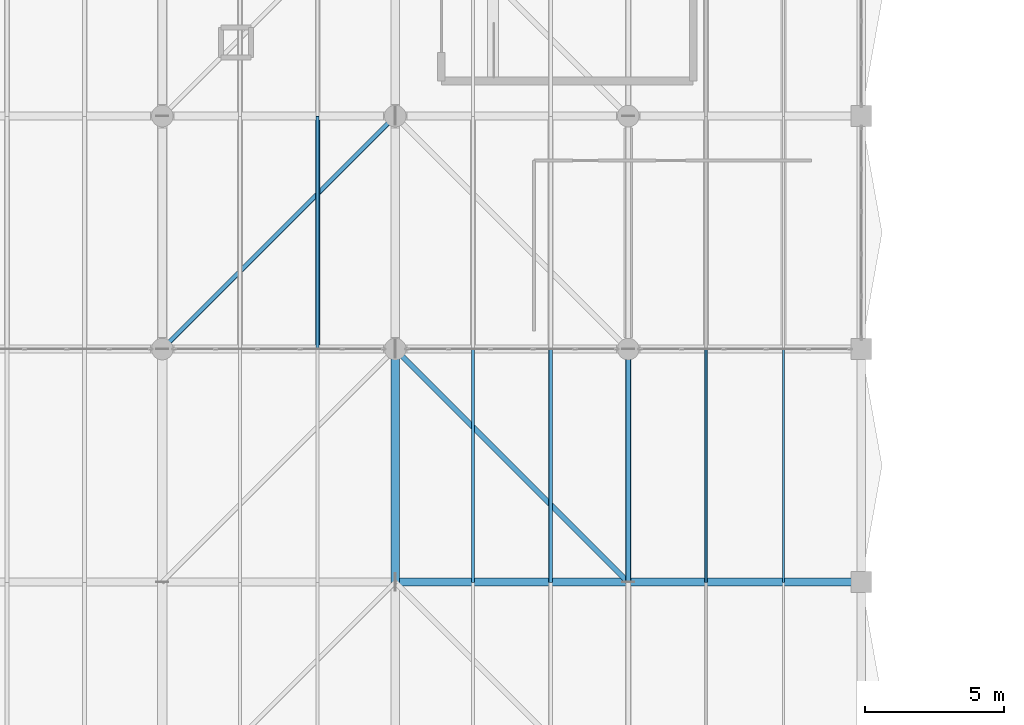
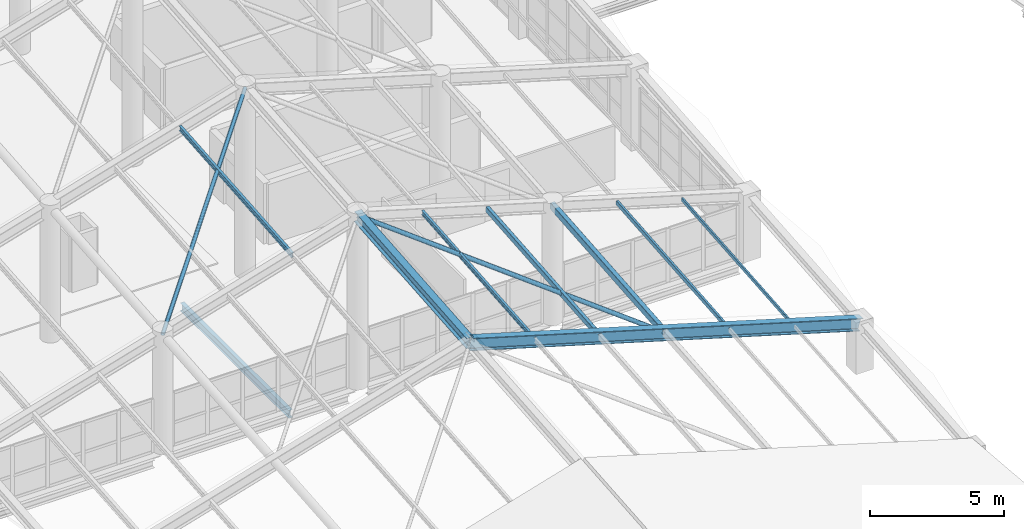
# One storey, part 28 of 95: 10 members, 1 beam.
"""IFC4 building model written with IfcOpenShell, lengths in metres."""

from ifc_helpers import new_model, si_unit, direction, frame, origin, origin_2d, place, context, subcontext, project, spatial, hollow_rectangle, hollow_circle, i_section, extrude, material, material_profile, profile_set, type_object, element, save


model = new_model("IFC4")

# Units and contexts
model_context = context("Model", 3, precision=1e-05, world=origin(), true_north=direction((0.0, 1.0)))
body_context = subcontext(model_context, "Body", "Model", "MODEL_VIEW")
ifc_project = project(units=[si_unit("LENGTHUNIT", "METRE"), si_unit("AREAUNIT", "SQUARE_METRE"), si_unit("VOLUMEUNIT", "CUBIC_METRE"), si_unit("PLANEANGLEUNIT", "RADIAN"), si_unit("MASSUNIT", "GRAM", prefix="KILO"), si_unit("THERMODYNAMICTEMPERATUREUNIT", "KELVIN"), si_unit("POWERUNIT", "WATT")], contexts=[model_context])

# Site, building, storey
site_placement = place(None, origin())
site = spatial("IfcSite", under=ifc_project, at=site_placement, CompositionType="ELEMENT")
building_placement = place(site_placement, origin())
building = spatial("IfcBuilding", under=site, at=building_placement, Name="Mavoryth Pier Ferry Terminal", CompositionType="ELEMENT")
storey_placement = place(building_placement, frame((0.0, 0.0, 9.60009765625)))
storey = spatial("IfcBuildingStorey", under=building, at=storey_placement, Name="L02", CompositionType="ELEMENT", Elevation=9.60009765625)

# Members
ifc_material = material(Name="Steel S355J2", Category="steel")
ifc_material_profile_1 = material_profile(ifc_material, hollow_circle(Radius=0.096923828125, WallThickness=0.010009765625, at=origin_2d()), Name="CHS 193.7x10.0", Category="steel")
ifc_profile_set_1 = profile_set([ifc_material_profile_1], Name="Steel S355J2 - CHS 193.7x10.0")
member_type_1 = type_object("IfcMemberType", Name="Brace-Plan-CHS194", PredefinedType="BRACE", material=ifc_profile_set_1)
member_1_placement = place(storey_placement, frame((25.199951171875, 64.0, 4.51318359375), z_axis=(-0.682878207153, 0.682878207153, 0.259527856674), x_axis=(-0.707106781187, -0.707106781187, 0.0)))
element("IfcMember", 1, at=member_1_placement, inside=storey, type_object=member_type_1, Name="Steel Member MB-L02-0114", PredefinedType="BRACE", context=body_context, shape_type="SweptSolid", body=[
    extrude(hollow_circle(Radius=0.096923828125, WallThickness=0.010009765625, at=origin_2d()), origin(), (0.0, 0.0, 1.0), 12.30078125),
])
ifc_material_profile_2 = material_profile(ifc_material, hollow_circle(Radius=0.084228515625, WallThickness=0.008056640625, at=origin_2d()), Name="CHS 168.3x8.0", Category="steel")
ifc_profile_set_2 = profile_set([ifc_material_profile_2], Name="Steel S355J2 - CHS 168.3x8.0")
member_type_2 = type_object("IfcMemberType", Name="Brace-Roof-CHS168", PredefinedType="BRACE", material=ifc_profile_set_2)
member_2_placement = place(storey_placement, frame((8.39990234375, 72.39990234375, 5.2275390625), z_axis=(0.682879543932, 0.682879543932, 0.259520821823), x_axis=(-0.707106781187, 0.707106781187, 0.0)))
element("IfcMember", 2, at=member_2_placement, inside=storey, type_object=member_type_2, Name="Steel Member MB-L02-0128", PredefinedType="BRACE", context=body_context, shape_type="SweptSolid", body=[
    extrude(hollow_circle(Radius=0.084228515625, WallThickness=0.008056640625, at=origin_2d()), origin(), (0.0, 0.0, 1.0), 12.301025390625),
])
ifc_material_profile_3 = material_profile(ifc_material, hollow_rectangle(XDim=0.199951171875, YDim=0.300048828125, WallThickness=0.012451171875, InnerFilletRadius=0.012451171875, OuterFilletRadius=0.02490234375, at=origin_2d()), Name="RHS 300x200x12.5", Category="steel")
ifc_profile_set_3 = profile_set([ifc_material_profile_3], Name="Steel S355J2 - RHS 300x200x12.5")
member_type_3 = type_object("IfcMemberType", Name="Chord-Edge-RHS300", PredefinedType="CHORD", material=ifc_profile_set_3)
member_3_placement = place(storey_placement, frame((25.199951171875, 64.0, 4.51318359375), z_axis=(0.0, 0.9964033157, 0.084737432475), x_axis=(-1.0, 0.0, 0.0)))
element("IfcMember", 3, at=member_3_placement, inside=storey, type_object=member_type_3, Name="Steel Member MB-L02-0104", PredefinedType="CHORD", context=body_context, shape_type="SweptSolid", body=[
    extrude(hollow_rectangle(XDim=0.199951171875, YDim=0.300048828125, WallThickness=0.012451171875, InnerFilletRadius=0.012451171875, OuterFilletRadius=0.02490234375, at=origin_2d()), origin(), (0.0, 0.0, 1.0), 8.43017578125),
])
ifc_material_profile_4 = material_profile(ifc_material, i_section(OverallWidth=0.300048828125, OverallDepth=0.489990234375, WebThickness=0.011962890625, FlangeThickness=0.02294921875, FilletRadius=0.027099609375, at=origin_2d()), Name="HEA 500", Category="steel")
ifc_profile_set_4 = profile_set([ifc_material_profile_4], Name="Steel S355J2 - HEA 500")
member_type_4 = type_object("IfcMemberType", Name="Chord-Ridge-HEA500", PredefinedType="CHORD", material=ifc_profile_set_4)
member_4_placement = place(storey_placement, frame((16.800048828125, 64.0, 6.9912109375), z_axis=(0.0, 0.9964033157, 0.084737432475), x_axis=(-1.0, 0.0, 0.0)))
element("IfcMember", 4, at=member_4_placement, inside=storey, type_object=member_type_4, Name="Steel Member MB-L02-0101", PredefinedType="CHORD", context=body_context, shape_type="SweptSolid", body=[
    extrude(i_section(OverallWidth=0.300048828125, OverallDepth=0.489990234375, WebThickness=0.011962890625, FlangeThickness=0.02294921875, FilletRadius=0.027099609375, at=origin_2d()), origin(), (0.0, 0.0, 1.0), 8.43017578125),
])

# Beam
ifc_material_profile_5 = material_profile(ifc_material, i_section(OverallWidth=0.169921875, OverallDepth=0.360107421875, WebThickness=0.008056640625, FlangeThickness=0.0126953125, FilletRadius=0.01806640625, at=origin_2d()), Name="IPE 360", Category="steel")
ifc_profile_set_5 = profile_set([ifc_material_profile_5], Name="Steel S355J2 - IPE 360")
beam_type = type_object("IfcBeamType", Name="Joist-Steel-IPE360", PredefinedType="JOIST", material=ifc_profile_set_5)
beam_placement = place(storey_placement, frame((14.0, 72.550048828125, -0.460205078125), z_axis=(0.0, 1.0, 0.0), x_axis=(-1.0, 0.0, 0.0)))
element("IfcBeam", 5, at=beam_placement, inside=storey, type_object=beam_type, Name="Beam B02-SJ02-0662", PredefinedType="JOIST", context=body_context, shape_type="SweptSolid", body=[
    extrude(i_section(OverallWidth=0.169921875, OverallDepth=0.360107421875, WebThickness=0.008056640625, FlangeThickness=0.0126953125, FilletRadius=0.01806640625, at=origin_2d()), origin(), (0.0, 0.0, 1.0), 8.099853515625),
])

# Members
ifc_material_profile_6 = material_profile(ifc_material, i_section(OverallWidth=0.10009765625, OverallDepth=0.199951171875, WebThickness=0.005615234375, FlangeThickness=0.008544921875, FilletRadius=0.011962890625, at=origin_2d()), Name="IPE 200", Category="steel")
ifc_profile_set_6 = profile_set([ifc_material_profile_6], Name="Steel S355J2 - IPE 200")
member_type_5 = type_object("IfcMemberType", Name="Purlin-Roof-IPE200", PredefinedType="PURLIN", material=ifc_profile_set_6)
member_5_placement = place(storey_placement, frame((19.60009765625, 64.0, 6.15869140625), z_axis=(0.0, 0.9964033157, 0.084737432475), x_axis=(-1.0, 0.0, 0.0)))
element("IfcMember", 6, at=member_5_placement, inside=storey, type_object=member_type_5, Name="Steel Member MB-L02-0109", PredefinedType="PURLIN", context=body_context, shape_type="SweptSolid", body=[
    extrude(i_section(OverallWidth=0.10009765625, OverallDepth=0.199951171875, WebThickness=0.005615234375, FlangeThickness=0.008544921875, FilletRadius=0.011962890625, at=origin_2d()), origin(), (0.0, 0.0, 1.0), 8.43017578125),
])
ifc_material_profile_7 = material_profile(ifc_material, i_section(OverallWidth=0.110107421875, OverallDepth=0.219970703125, WebThickness=0.005859375, FlangeThickness=0.00927734375, FilletRadius=0.011962890625, at=origin_2d()), Name="IPE 220", Category="steel")
ifc_profile_set_7 = profile_set([ifc_material_profile_7], Name="Steel S355J2 - IPE 220")
member_type_6 = type_object("IfcMemberType", Name="Purlin-Roof-IPE220", PredefinedType="PURLIN", material=ifc_profile_set_7)
member_6_placement = place(storey_placement, frame((14.0, 72.39990234375, 6.873046875), z_axis=(0.0, 0.996403523637, 0.084734987362), x_axis=(-1.0, 0.0, 0.0)))
element("IfcMember", 7, at=member_6_placement, inside=storey, type_object=member_type_6, Name="Steel Member MB-L02-0123", PredefinedType="PURLIN", context=body_context, shape_type="SweptSolid", body=[
    extrude(i_section(OverallWidth=0.110107421875, OverallDepth=0.219970703125, WebThickness=0.005859375, FlangeThickness=0.00927734375, FilletRadius=0.011962890625, at=origin_2d()), origin(), (0.0, 0.0, 1.0), 8.430419921875),
])
ifc_material_profile_8 = material_profile(ifc_material, hollow_rectangle(XDim=0.080078125, YDim=0.159912109375, WallThickness=0.00634765625, InnerFilletRadius=0.00634765625, OuterFilletRadius=0.0126953125, at=origin_2d()), Name="RHS 160x80x6.3", Category="steel")
ifc_profile_set_8 = profile_set([ifc_material_profile_8], Name="Steel S355J2 - RHS 160x80x6.3")
member_type_7 = type_object("IfcMemberType", Name="Purlin-Tube-RHS160", PredefinedType="PURLIN", material=ifc_profile_set_8)
member_7_placement = place(storey_placement, frame((30.800048828125, 64.0, 2.82763671875), z_axis=(0.0, 0.9964033157, 0.084737432475), x_axis=(-1.0, 0.0, 0.0)))
element("IfcMember", 8, at=member_7_placement, inside=storey, type_object=member_type_7, Name="Steel Member MB-L02-0112", PredefinedType="PURLIN", context=body_context, shape_type="SweptSolid", body=[
    extrude(hollow_rectangle(XDim=0.080078125, YDim=0.159912109375, WallThickness=0.00634765625, InnerFilletRadius=0.00634765625, OuterFilletRadius=0.0126953125, at=origin_2d()), origin(), (0.0, 0.0, 1.0), 8.43017578125),
])
ifc_material_profile_9 = material_profile(ifc_material, hollow_rectangle(XDim=0.10009765625, YDim=0.199951171875, WallThickness=0.008056640625, InnerFilletRadius=0.008056640625, OuterFilletRadius=0.01611328125, at=origin_2d()), Name="RHS 200x100x8.0", Category="steel")
ifc_profile_set_9 = profile_set([ifc_material_profile_9], Name="Steel S355J2 - RHS 200x100x8.0")
member_type_8 = type_object("IfcMemberType", Name="Purlin-Tube-RHS200", PredefinedType="PURLIN", material=ifc_profile_set_9)
member_8_placement = place(storey_placement, frame((28.0, 64.0, 3.660400390625), z_axis=(0.0, 0.9964033157, 0.084737432475), x_axis=(-1.0, 0.0, 0.0)))
element("IfcMember", 9, at=member_8_placement, inside=storey, type_object=member_type_8, Name="Steel Member MB-L02-0111", PredefinedType="PURLIN", context=body_context, shape_type="SweptSolid", body=[
    extrude(hollow_rectangle(XDim=0.10009765625, YDim=0.199951171875, WallThickness=0.008056640625, InnerFilletRadius=0.008056640625, OuterFilletRadius=0.01611328125, at=origin_2d()), origin(), (0.0, 0.0, 1.0), 8.43017578125),
])
ifc_material_profile_10 = material_profile(ifc_material, hollow_rectangle(XDim=0.14990234375, YDim=0.25, WallThickness=0.010009765625, InnerFilletRadius=0.010009765625, OuterFilletRadius=0.02001953125, at=origin_2d()), Name="RHS 250x150x10.0", Category="steel")
ifc_profile_set_10 = profile_set([ifc_material_profile_10], Name="Steel S355J2 - RHS 250x150x10.0")
member_type_9 = type_object("IfcMemberType", Name="Purlin-Tube-RHS250", PredefinedType="PURLIN", material=ifc_profile_set_10)
member_9_placement = place(storey_placement, frame((22.39990234375, 64.0, 5.325927734375), z_axis=(0.0, 0.9964033157, 0.084737432475), x_axis=(-1.0, 0.0, 0.0)))
element("IfcMember", 10, at=member_9_placement, inside=storey, type_object=member_type_9, Name="Steel Member MB-L02-0110", PredefinedType="PURLIN", context=body_context, shape_type="SweptSolid", body=[
    extrude(hollow_rectangle(XDim=0.14990234375, YDim=0.25, WallThickness=0.010009765625, InnerFilletRadius=0.010009765625, OuterFilletRadius=0.02001953125, at=origin_2d()), origin(), (0.0, 0.0, 1.0), 8.43017578125),
])
ifc_material_profile_11 = material_profile(ifc_material, i_section(OverallWidth=0.300048828125, OverallDepth=0.550048828125, WebThickness=0.014892578125, FlangeThickness=0.029052734375, FilletRadius=0.027099609375, at=origin_2d()), Name="HEB 550", Category="steel")
ifc_profile_set_11 = profile_set([ifc_material_profile_11], Name="Steel S355J2 - HEB 550")
member_type_10 = type_object("IfcMemberType", Name="Rafter-Folded-HEB550", PredefinedType="RAFTER", material=ifc_profile_set_11)
member_10_placement = place(storey_placement, frame((16.800048828125, 64.0, 6.9912109375), z_axis=(0.958821022036, 0.0, -0.284010999261), x_axis=(0.0, 1.0, 0.0)))
element("IfcMember", 11, at=member_10_placement, inside=storey, type_object=member_type_10, Name="Steel Member MB-L02-0012", PredefinedType="RAFTER", context=body_context, shape_type="SweptSolid", body=[
    extrude(i_section(OverallWidth=0.300048828125, OverallDepth=0.550048828125, WebThickness=0.014892578125, FlangeThickness=0.029052734375, FilletRadius=0.027099609375, at=origin_2d()), origin(), (0.0, 0.0, 1.0), 17.521484375),
])

save(model, "model.ifc")
